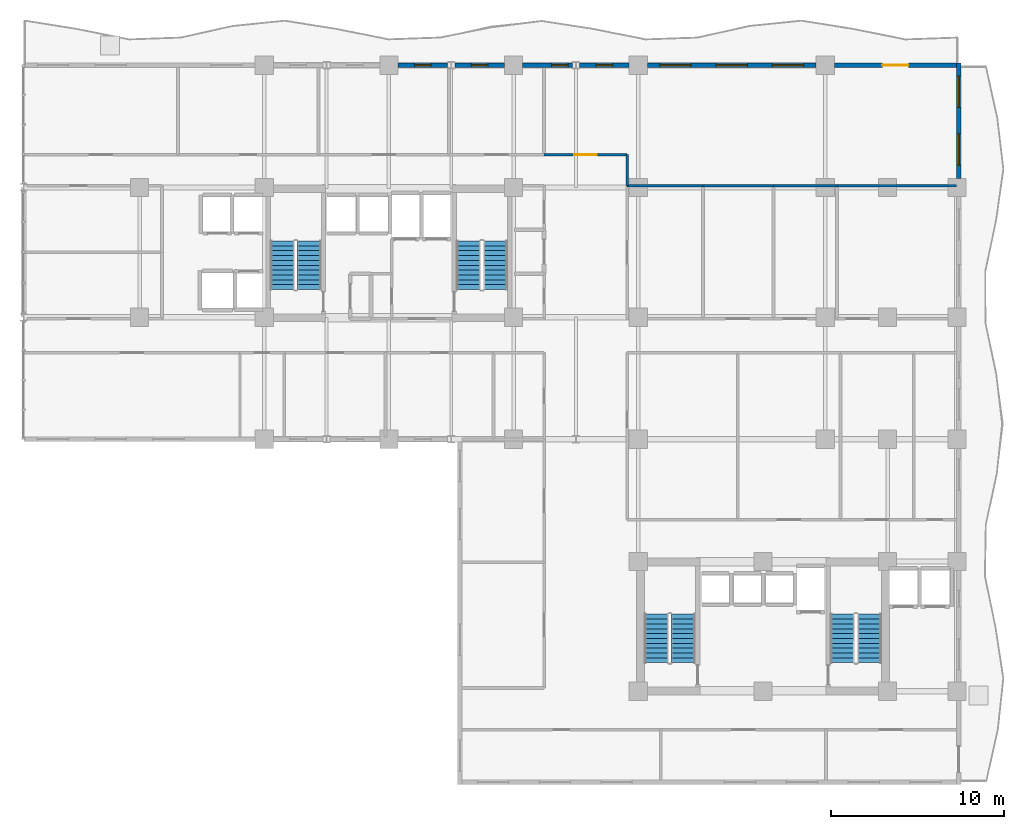
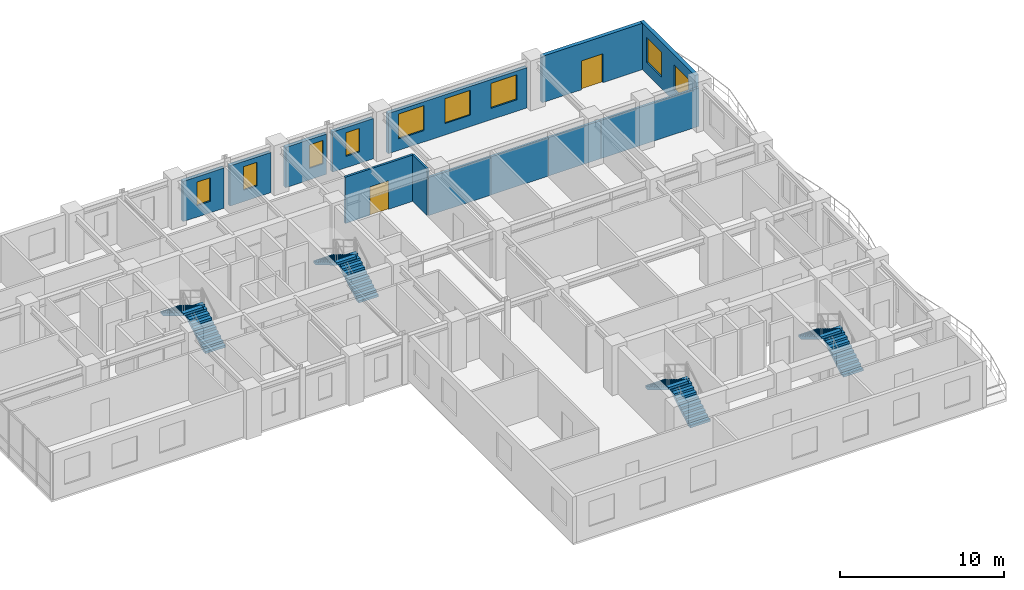
# One storey, part 15 of 19: 13 walls, 9 windows, 8 stair flights, 2 doors, 11 openings, 4 elements without a shape of their own.
"""IFC4 building model written with IfcOpenShell, lengths in metres."""

from ifc_helpers import new_model, si_unit, direction, frame, frame_2d, origin, place, context, subcontext, project, spatial, polyline, rectangle, outline, extrude, material, layer, layer_set, type_object, element, fill, aggregate, save


model = new_model("IFC4")

# Units and contexts
model_context = context("Model", 3, precision=1e-05, world=origin(), true_north=direction((0.0, 1.0)))
body_context = subcontext(model_context, "Body", "Model", "MODEL_VIEW")
ifc_project = project(units=[si_unit("LENGTHUNIT", "METRE"), si_unit("AREAUNIT", "SQUARE_METRE"), si_unit("VOLUMEUNIT", "CUBIC_METRE"), si_unit("PLANEANGLEUNIT", "RADIAN"), si_unit("MASSUNIT", "GRAM", prefix="KILO")], contexts=[model_context])

# Site, building, storey
site_placement = place(None, origin())
site = spatial("IfcSite", under=ifc_project, at=site_placement, CompositionType="ELEMENT")
building_placement = place(site_placement, origin())
building = spatial("IfcBuilding", under=site, at=building_placement, Name="Kaliganga Portal Commons", CompositionType="ELEMENT")
storey_placement = place(building_placement, frame((0.0, 0.0, 140.199951171875)))
storey = spatial("IfcBuildingStorey", under=building, at=storey_placement, Name="L35", CompositionType="ELEMENT", Elevation=140.199951171875)

# Wall, openings, windows
ifc_material_1 = material(Name="Insulated Aluminium-Clad Spandrel Assembly", Category="aluminium")
ifc_layer_1 = layer(ifc_material_1, 0.260009765625)
ifc_layer_set_1 = layer_set([ifc_layer_1], Name="Insulated Aluminium-Clad Spandrel Assembly")
wall_type_1 = type_object("IfcWallType", Name="WL-EXT-SPAND-260", PredefinedType="STANDARD", material=ifc_layer_set_1)
wall_1_placement = place(storey_placement, frame((54.5, 43.330078125, 0.0), z_axis=(0.0, 0.0, 1.0), x_axis=(0.0, -1.0, 0.0)))
wall_1 = element("IfcWall", 1, at=wall_1_placement, inside=storey, type_object=wall_type_1, Name="Exterior Envelope Wall L35 P1-E01-S6", PredefinedType="STANDARD", context=body_context, shape_type="SweptSolid", body=[
    extrude(rectangle(XDim=6.654052734375, YDim=0.260009765625, at=frame_2d((3.3271484375, 0.0))), origin(), (0.0, 0.0, 1.0), 3.43994140625),
])
opening_1_placement = place(wall_1_placement, frame((0.763427734375, 0.0, 0.85009765625)))
opening_1 = element("IfcOpeningElement", 2, at=opening_1_placement, cuts=wall_1, Name="Opening W-01", PredefinedType="OPENING", context=body_context, shape_type="SweptSolid", body=[
    extrude(rectangle(XDim=1.800048828125, YDim=1.85009765625, at=frame_2d((0.89990234375, 0.925048828125))), frame((0.0, 0.14013671875, 0.0), z_axis=(0.0, -1.0, 0.0), x_axis=(1.0, 0.0, 0.0)), (0.0, 0.0, 1.0), 0.280029296875),
])
opening_2_placement = place(wall_1_placement, frame((4.090576171875, 0.0, 0.85009765625)))
opening_2 = element("IfcOpeningElement", 3, at=opening_2_placement, cuts=wall_1, Name="Opening W-01", PredefinedType="OPENING", context=body_context, shape_type="SweptSolid", body=[
    extrude(rectangle(XDim=1.800048828125, YDim=1.85009765625, at=frame_2d((0.89990234375, 0.925048828125))), frame((0.0, 0.14013671875, 0.0), z_axis=(0.0, -1.0, 0.0), x_axis=(1.0, 0.0, 0.0)), (0.0, 0.0, 1.0), 0.280029296875),
])
ifc_material_2 = material(Name="Thermally Broken Aluminium and Low-E Double Glazing", Category="aluminium")
window_type_1 = type_object("IfcWindowType", Name="WIN-STD-1800", PartitioningType="DOUBLE_PANEL_VERTICAL", PredefinedType="WINDOW", material=ifc_material_2)
window_1_placement = place(opening_1_placement, origin())
window_1 = element("IfcWindow", 4, at=window_1_placement, inside=storey, type_object=window_type_1, Name="Facade Window L35-P1E01S6-00", OverallHeight=1.85009765625, OverallWidth=1.800048828125, PartitioningType="SINGLE_PANEL", PredefinedType="WINDOW", context=body_context, shape_type="SweptSolid", body=[
    extrude(rectangle(XDim=1.800048828125, YDim=1.85009765625, at=frame_2d((0.89990234375, 0.925048828125))), frame((0.0, 0.030029296875, 0.0), z_axis=(0.0, -1.0, 0.0), x_axis=(1.0, 0.0, 0.0)), (0.0, 0.0, 1.0), 0.06005859375),
])
fill(opening_1, window_1)
window_2_placement = place(opening_2_placement, origin())
window_2 = element("IfcWindow", 5, at=window_2_placement, inside=storey, type_object=window_type_1, Name="Facade Window L35-P1E01S6-01", OverallHeight=1.85009765625, OverallWidth=1.800048828125, PartitioningType="SINGLE_PANEL", PredefinedType="WINDOW", context=body_context, shape_type="SweptSolid", body=[
    extrude(rectangle(XDim=1.800048828125, YDim=1.85009765625, at=frame_2d((0.89990234375, 0.925048828125))), frame((0.0, 0.030029296875, 0.0), z_axis=(0.0, -1.0, 0.0), x_axis=(1.0, 0.0, 0.0)), (0.0, 0.0, 1.0), 0.06005859375),
])
fill(opening_2, window_2)

# Wall, opening, door
wall_2_placement = place(storey_placement, frame((47.325927734375, 43.199951171875, 0.0), z_axis=(0.0, 0.0, 1.0), x_axis=(1.0, 0.0, 0.0)))
wall_2 = element("IfcWall", 6, at=wall_2_placement, inside=storey, type_object=wall_type_1, Name="Exterior Envelope Wall L35 P1-E02-S1", PredefinedType="STANDARD", context=body_context, shape_type="SweptSolid", body=[
    extrude(rectangle(XDim=7.0390625, YDim=0.260009765625, at=frame_2d((3.51953125, 0.0))), origin(), (0.0, 0.0, 1.0), 3.43994140625),
])
opening_3_placement = place(wall_2_placement, frame((2.77001953125, 0.0, 0.0)))
opening_3 = element("IfcOpeningElement", 7, at=opening_3_placement, cuts=wall_2, Name="Opening BD-01", PredefinedType="OPENING", context=body_context, shape_type="SweptSolid", body=[
    extrude(rectangle(XDim=1.5, YDim=2.14990234375, at=frame_2d((0.75, 1.074951171875))), frame((0.0, 0.14013671875, 0.0), z_axis=(0.0, -1.0, 0.0), x_axis=(1.0, 0.0, 0.0)), (0.0, 0.0, 1.0), 0.280029296875),
])
ifc_material_3 = material(Name="Anodized Aluminium and Laminated Safety Glass", Category="aluminium")
door_type_1 = type_object("IfcDoorType", Name="DR-BALC-1500", OperationType="SLIDING_TO_LEFT", PredefinedType="DOOR", material=ifc_material_3)
door_1_placement = place(opening_3_placement, origin())
door_1 = element("IfcDoor", 8, at=door_1_placement, inside=storey, type_object=door_type_1, Name="Balcony Sliding Door L35 balc_north", OperationType="SLIDING_TO_LEFT", OverallHeight=2.14990234375, OverallWidth=1.5, PredefinedType="DOOR", context=body_context, shape_type="SweptSolid", body=[
    extrude(rectangle(XDim=1.5, YDim=2.14990234375, at=frame_2d((0.75, 1.074951171875))), frame((0.0, 0.02490234375, 0.0), z_axis=(0.0, -1.0, 0.0), x_axis=(1.0, 0.0, 0.0)), (0.0, 0.0, 1.0), 0.050048828125),
])
fill(opening_3, door_1)

# Wall, openings, windows
wall_3_placement = place(storey_placement, frame((36.52587890625, 43.199951171875, 0.0), z_axis=(0.0, 0.0, 1.0), x_axis=(1.0, 0.0, 0.0)))
wall_3 = element("IfcWall", 9, at=wall_3_placement, inside=storey, type_object=wall_type_1, Name="Exterior Envelope Wall L35 P1-E02-S2", PredefinedType="STANDARD", context=body_context, shape_type="SweptSolid", body=[
    extrude(rectangle(XDim=9.748046875, YDim=0.260009765625, at=frame_2d((4.8740234375, 0.0))), origin(), (0.0, 0.0, 1.0), 2.989990234375),
])
opening_4_placement = place(wall_3_placement, frame((0.724609375, 0.0, 0.85009765625)))
opening_4 = element("IfcOpeningElement", 10, at=opening_4_placement, cuts=wall_3, Name="Opening W-01", PredefinedType="OPENING", context=body_context, shape_type="SweptSolid", body=[
    extrude(rectangle(XDim=1.800048828125, YDim=1.85009765625, at=frame_2d((0.89990234375, 0.925048828125))), frame((0.0, 0.14013671875, 0.0), z_axis=(0.0, -1.0, 0.0), x_axis=(1.0, 0.0, 0.0)), (0.0, 0.0, 1.0), 0.280029296875),
])
opening_5_placement = place(wall_3_placement, frame((3.97412109375, 0.0, 0.85009765625)))
opening_5 = element("IfcOpeningElement", 11, at=opening_5_placement, cuts=wall_3, Name="Opening W-01", PredefinedType="OPENING", context=body_context, shape_type="SweptSolid", body=[
    extrude(rectangle(XDim=1.800048828125, YDim=1.85009765625, at=frame_2d((0.89990234375, 0.925048828125))), frame((0.0, 0.14013671875, 0.0), z_axis=(0.0, -1.0, 0.0), x_axis=(1.0, 0.0, 0.0)), (0.0, 0.0, 1.0), 0.280029296875),
])
opening_6_placement = place(wall_3_placement, frame((7.223388671875, 0.0, 0.85009765625)))
opening_6 = element("IfcOpeningElement", 12, at=opening_6_placement, cuts=wall_3, Name="Opening W-01", PredefinedType="OPENING", context=body_context, shape_type="SweptSolid", body=[
    extrude(rectangle(XDim=1.800048828125, YDim=1.85009765625, at=frame_2d((0.89990234375, 0.925048828125))), frame((0.0, 0.14013671875, 0.0), z_axis=(0.0, -1.0, 0.0), x_axis=(1.0, 0.0, 0.0)), (0.0, 0.0, 1.0), 0.280029296875),
])
window_3_placement = place(opening_4_placement, origin())
window_3 = element("IfcWindow", 13, at=window_3_placement, inside=storey, type_object=window_type_1, Name="Facade Window L35-P1E02S2-00", OverallHeight=1.85009765625, OverallWidth=1.800048828125, PartitioningType="SINGLE_PANEL", PredefinedType="WINDOW", context=body_context, shape_type="SweptSolid", body=[
    extrude(rectangle(XDim=1.800048828125, YDim=1.85009765625, at=frame_2d((0.89990234375, 0.925048828125))), frame((0.0, 0.030029296875, 0.0), z_axis=(0.0, -1.0, 0.0), x_axis=(1.0, 0.0, 0.0)), (0.0, 0.0, 1.0), 0.06005859375),
])
fill(opening_4, window_3)
window_4_placement = place(opening_5_placement, origin())
window_4 = element("IfcWindow", 14, at=window_4_placement, inside=storey, type_object=window_type_1, Name="Facade Window L35-P1E02S2-01", OverallHeight=1.85009765625, OverallWidth=1.800048828125, PartitioningType="SINGLE_PANEL", PredefinedType="WINDOW", context=body_context, shape_type="SweptSolid", body=[
    extrude(rectangle(XDim=1.800048828125, YDim=1.85009765625, at=frame_2d((0.89990234375, 0.925048828125))), frame((0.0, 0.030029296875, 0.0), z_axis=(0.0, -1.0, 0.0), x_axis=(1.0, 0.0, 0.0)), (0.0, 0.0, 1.0), 0.06005859375),
])
fill(opening_5, window_4)
window_5_placement = place(opening_6_placement, origin())
window_5 = element("IfcWindow", 15, at=window_5_placement, inside=storey, type_object=window_type_1, Name="Facade Window L35-P1E02S2-02", OverallHeight=1.85009765625, OverallWidth=1.800048828125, PartitioningType="SINGLE_PANEL", PredefinedType="WINDOW", context=body_context, shape_type="SweptSolid", body=[
    extrude(rectangle(XDim=1.800048828125, YDim=1.85009765625, at=frame_2d((0.89990234375, 0.925048828125))), frame((0.0, 0.030029296875, 0.0), z_axis=(0.0, -1.0, 0.0), x_axis=(1.0, 0.0, 0.0)), (0.0, 0.0, 1.0), 0.06005859375),
])
fill(opening_6, window_5)

# Wall, opening, window
wall_4_placement = place(storey_placement, frame((32.60302734375, 43.199951171875, 0.0), z_axis=(0.0, 0.0, 1.0), x_axis=(1.0, 0.0, 0.0)))
wall_4 = element("IfcWall", 16, at=wall_4_placement, inside=storey, type_object=wall_type_1, Name="Exterior Envelope Wall L35 P1-E02-S3", PredefinedType="STANDARD", context=body_context, shape_type="SweptSolid", body=[
    extrude(rectangle(XDim=2.87109375, YDim=0.260009765625, at=frame_2d((1.435546875, 0.0))), origin(), (0.0, 0.0, 1.0), 2.989990234375),
])
opening_7_placement = place(wall_4_placement, frame((0.96044921875, 0.0, 0.85009765625)))
opening_7 = element("IfcOpeningElement", 17, at=opening_7_placement, cuts=wall_4, Name="Opening W-04", PredefinedType="OPENING", context=body_context, shape_type="SweptSolid", body=[
    extrude(rectangle(XDim=0.949951171875, YDim=1.75, at=frame_2d((0.47509765625, 0.875))), frame((0.0, 0.14013671875, 0.0), z_axis=(0.0, -1.0, 0.0), x_axis=(1.0, 0.0, 0.0)), (0.0, 0.0, 1.0), 0.280029296875),
])
window_type_2 = type_object("IfcWindowType", Name="WIN-NARROW-950", PartitioningType="SINGLE_PANEL", PredefinedType="WINDOW", material=ifc_material_2)
window_6_placement = place(opening_7_placement, origin())
window_6 = element("IfcWindow", 18, at=window_6_placement, inside=storey, type_object=window_type_2, Name="Facade Window L35-P1E02S3-00", OverallHeight=1.75, OverallWidth=0.949951171875, PartitioningType="SINGLE_PANEL", PredefinedType="WINDOW", context=body_context, shape_type="SweptSolid", body=[
    extrude(rectangle(XDim=0.949951171875, YDim=1.75, at=frame_2d((0.47509765625, 0.875))), frame((0.0, 0.030029296875, 0.0), z_axis=(0.0, -1.0, 0.0), x_axis=(1.0, 0.0, 0.0)), (0.0, 0.0, 1.0), 0.06005859375),
])
fill(opening_7, window_6)

wall_5_placement = place(storey_placement, frame((29.325927734375, 43.199951171875, 0.0), z_axis=(0.0, 0.0, 1.0), x_axis=(1.0, 0.0, 0.0)))
wall_5 = element("IfcWall", 19, at=wall_5_placement, inside=storey, type_object=wall_type_1, Name="Exterior Envelope Wall L35 P1-E02-S4", PredefinedType="STANDARD", context=body_context, shape_type="SweptSolid", body=[
    extrude(rectangle(XDim=2.87109375, YDim=0.260009765625, at=frame_2d((1.435546875, 0.0))), origin(), (0.0, 0.0, 1.0), 2.989990234375),
])
opening_8_placement = place(wall_5_placement, frame((1.672607421875, 0.0, 0.85009765625)))
opening_8 = element("IfcOpeningElement", 20, at=opening_8_placement, cuts=wall_5, Name="Opening W-04", PredefinedType="OPENING", context=body_context, shape_type="SweptSolid", body=[
    extrude(rectangle(XDim=0.949951171875, YDim=1.75, at=frame_2d((0.47509765625, 0.875))), frame((0.0, 0.14013671875, 0.0), z_axis=(0.0, -1.0, 0.0), x_axis=(1.0, 0.0, 0.0)), (0.0, 0.0, 1.0), 0.280029296875),
])
window_7_placement = place(opening_8_placement, origin())
window_7 = element("IfcWindow", 21, at=window_7_placement, inside=storey, type_object=window_type_2, Name="Facade Window L35-P1E02S4-N2", OverallHeight=1.75, OverallWidth=0.949951171875, PartitioningType="SINGLE_PANEL", PredefinedType="WINDOW", context=body_context, shape_type="SweptSolid", body=[
    extrude(rectangle(XDim=0.949951171875, YDim=1.75, at=frame_2d((0.47509765625, 0.875))), frame((0.0, 0.030029296875, 0.0), z_axis=(0.0, -1.0, 0.0), x_axis=(1.0, 0.0, 0.0)), (0.0, 0.0, 1.0), 0.06005859375),
])
fill(opening_8, window_7)

wall_6_placement = place(storey_placement, frame((25.403076171875, 43.199951171875, 0.0), z_axis=(0.0, 0.0, 1.0), x_axis=(1.0, 0.0, 0.0)))
wall_6 = element("IfcWall", 22, at=wall_6_placement, inside=storey, type_object=wall_type_1, Name="Exterior Envelope Wall L35 P1-E02-S5", PredefinedType="STANDARD", context=body_context, shape_type="SweptSolid", body=[
    extrude(rectangle(XDim=2.870849609375, YDim=0.260009765625, at=frame_2d((1.435546875, 0.0))), origin(), (0.0, 0.0, 1.0), 2.989990234375),
])
opening_9_placement = place(wall_6_placement, frame((0.96044921875, 0.0, 0.85009765625)))
opening_9 = element("IfcOpeningElement", 23, at=opening_9_placement, cuts=wall_6, Name="Opening W-04", PredefinedType="OPENING", context=body_context, shape_type="SweptSolid", body=[
    extrude(rectangle(XDim=0.949951171875, YDim=1.75, at=frame_2d((0.47509765625, 0.875))), frame((0.0, 0.14013671875, 0.0), z_axis=(0.0, -1.0, 0.0), x_axis=(1.0, 0.0, 0.0)), (0.0, 0.0, 1.0), 0.280029296875),
])
window_8_placement = place(opening_9_placement, origin())
window_8 = element("IfcWindow", 24, at=window_8_placement, inside=storey, type_object=window_type_2, Name="Facade Window L35-P1E02S5-00", OverallHeight=1.75, OverallWidth=0.949951171875, PartitioningType="SINGLE_PANEL", PredefinedType="WINDOW", context=body_context, shape_type="SweptSolid", body=[
    extrude(rectangle(XDim=0.949951171875, YDim=1.75, at=frame_2d((0.47509765625, 0.875))), frame((0.0, 0.030029296875, 0.0), z_axis=(0.0, -1.0, 0.0), x_axis=(1.0, 0.0, 0.0)), (0.0, 0.0, 1.0), 0.06005859375),
])
fill(opening_9, window_8)

wall_7_placement = place(storey_placement, frame((22.1259765625, 43.199951171875, 0.0), z_axis=(0.0, 0.0, 1.0), x_axis=(1.0, 0.0, 0.0)))
wall_7 = element("IfcWall", 25, at=wall_7_placement, inside=storey, type_object=wall_type_1, Name="Exterior Envelope Wall L35 P1-E02-S6", PredefinedType="STANDARD", context=body_context, shape_type="SweptSolid", body=[
    extrude(rectangle(XDim=2.87109375, YDim=0.260009765625, at=frame_2d((1.435546875, 0.0))), origin(), (0.0, 0.0, 1.0), 2.989990234375),
])
opening_10_placement = place(wall_7_placement, frame((0.96044921875, 0.0, 0.85009765625)))
opening_10 = element("IfcOpeningElement", 26, at=opening_10_placement, cuts=wall_7, Name="Opening W-04", PredefinedType="OPENING", context=body_context, shape_type="SweptSolid", body=[
    extrude(rectangle(XDim=0.949951171875, YDim=1.75, at=frame_2d((0.47509765625, 0.875))), frame((0.0, 0.14013671875, 0.0), z_axis=(0.0, -1.0, 0.0), x_axis=(1.0, 0.0, 0.0)), (0.0, 0.0, 1.0), 0.280029296875),
])
window_9_placement = place(opening_10_placement, origin())
window_9 = element("IfcWindow", 27, at=window_9_placement, inside=storey, type_object=window_type_2, Name="Facade Window L35-P1E02S6-00", OverallHeight=1.75, OverallWidth=0.949951171875, PartitioningType="SINGLE_PANEL", PredefinedType="WINDOW", context=body_context, shape_type="SweptSolid", body=[
    extrude(rectangle(XDim=0.949951171875, YDim=1.75, at=frame_2d((0.47509765625, 0.875))), frame((0.0, 0.030029296875, 0.0), z_axis=(0.0, -1.0, 0.0), x_axis=(1.0, 0.0, 0.0)), (0.0, 0.0, 1.0), 0.06005859375),
])
fill(opening_10, window_9)

# Wall, opening, door
ifc_material_4 = material(Name="Fire-Rated Gypsum Board on Steel Stud", Category="steel")
ifc_layer_2 = layer(ifc_material_4, 0.14990234375)
ifc_layer_set_2 = layer_set([ifc_layer_2], Name="Fire-Rated Gypsum Board on Steel Stud")
wall_type_2 = type_object("IfcWallType", Name="WL-PART-CORR-150", PredefinedType="PARTITIONING", material=ifc_layer_set_2)
wall_8_placement = place(storey_placement, frame((30.56005859375, 38.0400390625, 0.0), z_axis=(0.0, 0.0, 1.0), x_axis=(1.0, 0.0, 0.0)))
wall_8 = element("IfcWall", 28, at=wall_8_placement, inside=storey, type_object=wall_type_2, Name="Interior Partition L35-027", PredefinedType="PARTITIONING", context=body_context, shape_type="SweptSolid", body=[
    extrude(rectangle(XDim=4.800048828125, YDim=0.14990234375, at=frame_2d((2.39990234375, 0.0))), origin(), (0.0, 0.0, 1.0), 3.43994140625),
])
opening_11_placement = place(wall_8_placement, frame((1.75, 0.0, 0.0)))
opening_11 = element("IfcOpeningElement", 29, at=opening_11_placement, cuts=wall_8, Name="Opening RD-03", PredefinedType="OPENING", context=body_context, shape_type="SweptSolid", body=[
    extrude(rectangle(XDim=1.300048828125, YDim=2.1201171875, at=frame_2d((0.64990234375, 1.06005859375))), frame((0.0, 0.0849609375, 0.0), z_axis=(0.0, -1.0, 0.0), x_axis=(1.0, 0.0, 0.0)), (0.0, 0.0, 1.0), 0.169921875),
])
ifc_material_5 = material(Name="Glazed Timber Seminar Vision Door", Category="wood")
door_type_2 = type_object("IfcDoorType", Name="DR-STUDY-1300", OperationType="DOUBLE_DOOR_SINGLE_SWING", PredefinedType="DOOR", material=ifc_material_5)
door_2_placement = place(opening_11_placement, origin())
door_2 = element("IfcDoor", 30, at=door_2_placement, inside=storey, type_object=door_type_2, Name="Interior Door L35-ANE01", OperationType="DOUBLE_DOOR_SINGLE_SWING", OverallHeight=2.1201171875, OverallWidth=1.300048828125, PredefinedType="DOOR", context=body_context, shape_type="SweptSolid", body=[
    extrude(rectangle(XDim=1.300048828125, YDim=2.1201171875, at=frame_2d((0.64990234375, 1.06005859375))), frame((0.0, 0.02490234375, 0.0), z_axis=(0.0, -1.0, 0.0), x_axis=(1.0, 0.0, 0.0)), (0.0, 0.0, 1.0), 0.050048828125),
])
fill(opening_11, door_2)

# Walls
wall_9_placement = place(storey_placement, frame((35.360107421875, 36.239990234375, 0.0), z_axis=(0.0, 0.0, 1.0), x_axis=(0.0, 1.0, 0.0)))
element("IfcWall", 31, at=wall_9_placement, inside=storey, type_object=wall_type_2, Name="Interior Partition L35-044", PredefinedType="PARTITIONING", context=body_context, shape_type="SweptSolid", body=[
    extrude(rectangle(XDim=1.800048828125, YDim=0.14990234375, at=frame_2d((0.89990234375, 0.0))), origin(), (0.0, 0.0, 1.0), 3.43994140625),
])
ifc_material_6 = material(Name="Twin-Stud Acoustic Gypsum Partition", Category="gypsum")
ifc_layer_3 = layer(ifc_material_6, 0.1650390625)
ifc_layer_set_3 = layer_set([ifc_layer_3], Name="Twin-Stud Acoustic Gypsum Partition")
wall_type_3 = type_object("IfcWallType", Name="WL-PART-UNIT-165", PredefinedType="PARTITIONING", material=ifc_layer_set_3)
wall_10_placement = place(storey_placement, frame((47.47998046875, 36.239990234375, 0.0), z_axis=(0.0, 0.0, 1.0), x_axis=(1.0, 0.0, 0.0)))
element("IfcWall", 32, at=wall_10_placement, inside=storey, type_object=wall_type_3, Name="Interior Partition L35-058", PredefinedType="PARTITIONING", context=body_context, shape_type="SweptSolid", body=[
    extrude(rectangle(XDim=6.887939453125, YDim=0.1650390625, at=frame_2d((3.44384765625, 0.0))), origin(), (0.0, 0.0, 1.0), 2.840087890625),
])
wall_11_placement = place(storey_placement, frame((35.360107421875, 36.239990234375, 0.0), z_axis=(0.0, 0.0, 1.0), x_axis=(1.0, 0.0, 0.0)))
element("IfcWall", 33, at=wall_11_placement, inside=storey, type_object=wall_type_3, Name="Interior Partition L35-068", PredefinedType="PARTITIONING", context=body_context, shape_type="SweptSolid", body=[
    extrude(rectangle(XDim=4.3798828125, YDim=0.1650390625, at=frame_2d((2.18994140625, 0.0))), origin(), (0.0, 0.0, 1.0), 2.840087890625),
])
wall_12_placement = place(storey_placement, frame((39.739990234375, 36.239990234375, 0.0), z_axis=(0.0, 0.0, 1.0), x_axis=(1.0, 0.0, 0.0)))
element("IfcWall", 34, at=wall_12_placement, inside=storey, type_object=wall_type_3, Name="Interior Partition L35-069", PredefinedType="PARTITIONING", context=body_context, shape_type="SweptSolid", body=[
    extrude(rectangle(XDim=4.06005859375, YDim=0.1650390625, at=frame_2d((2.030029296875, 0.0))), origin(), (0.0, 0.0, 1.0), 2.840087890625),
])
wall_13_placement = place(storey_placement, frame((43.800048828125, 36.239990234375, 0.0), z_axis=(0.0, 0.0, 1.0), x_axis=(1.0, 0.0, 0.0)))
element("IfcWall", 35, at=wall_13_placement, inside=storey, type_object=wall_type_3, Name="Interior Partition L35-070", PredefinedType="PARTITIONING", context=body_context, shape_type="SweptSolid", body=[
    extrude(rectangle(XDim=3.679931640625, YDim=0.1650390625, at=frame_2d((1.83984375, 0.0))), origin(), (0.0, 0.0, 1.0), 2.840087890625),
])

# Stair, stair flights
ifc_material_7 = material(Name="Concrete C40/50", Category="concrete")
stair_type = type_object("IfcStairType", Name="ST-CORE-DOGLEG", PredefinedType="HALF_TURN_STAIR", material=ifc_material_7)
stair_1_placement = place(storey_placement, origin())
stair_1 = element("IfcStair", 36, at=stair_1_placement, inside=storey, type_object=stair_type, Name="L35 Protected Exit Stair ST-A1", PredefinedType="HALF_TURN_STAIR")
stair_flight_type = type_object("IfcStairFlightType", Name="STF-RC-1400", PredefinedType="STRAIGHT", material=ifc_material_7)
stair_flight_1_placement = place(storey_placement, frame((17.0, 30.25, 0.0), z_axis=(0.0, 0.0, 1.0), x_axis=(0.0, 1.0, 0.0)))
stair_flight_1 = element("IfcStairFlight", 37, at=stair_flight_1_placement, type_object=stair_flight_type, Name="ST-A1 flight 1", NumberOfRisers=11, NumberOfTreads=10, PredefinedType="STRAIGHT", RiserHeight=0.168181818, TreadLength=0.28, context=body_context, shape_type="SweptSolid", body=[
    extrude(outline(polyline([(0.0, 0.0), (0.0, 0.168212890625), (0.280029296875, 0.168212890625), (0.280029296875, 0.33642578125), (0.56005859375, 0.33642578125), (0.56005859375, 0.504638671875), (0.840087890625, 0.504638671875), (0.840087890625, 0.672607421875), (1.1201171875, 0.672607421875), (1.1201171875, 0.8408203125), (1.39990234375, 0.8408203125), (1.39990234375, 1.009033203125), (1.679931640625, 1.009033203125), (1.679931640625, 1.17724609375), (1.9599609375, 1.17724609375), (1.9599609375, 1.345458984375), (2.239990234375, 1.345458984375), (2.239990234375, 1.513671875), (2.52001953125, 1.513671875), (2.52001953125, 1.681884765625), (2.800048828125, 1.681884765625), (2.800048828125, 1.85009765625), (2.800048828125, 1.5068359375), (0.291015625, 0.0), (0.0, 0.0)])), frame((0.0, 0.699951171875, 0.0), z_axis=(0.0, -1.0, 0.0), x_axis=(1.0, 0.0, 0.0)), (0.0, 0.0, 1.0), 1.39990234375),
])
stair_flight_2_placement = place(storey_placement, frame((15.449951171875, 33.050048828125, 1.85009765625), z_axis=(0.0, 0.0, 1.0), x_axis=(0.0, -1.0, 0.0)))
stair_flight_2 = element("IfcStairFlight", 38, at=stair_flight_2_placement, type_object=stair_flight_type, Name="ST-A1 flight 2", NumberOfRisers=11, NumberOfTreads=10, PredefinedType="STRAIGHT", RiserHeight=0.168181818, TreadLength=0.28, context=body_context, shape_type="SweptSolid", body=[
    extrude(outline(polyline([(0.0, 0.0), (0.0, 0.168212890625), (0.280029296875, 0.168212890625), (0.280029296875, 0.33642578125), (0.56005859375, 0.33642578125), (0.56005859375, 0.504638671875), (0.840087890625, 0.504638671875), (0.840087890625, 0.672607421875), (1.1201171875, 0.672607421875), (1.1201171875, 0.8408203125), (1.39990234375, 0.8408203125), (1.39990234375, 1.009033203125), (1.679931640625, 1.009033203125), (1.679931640625, 1.17724609375), (1.9599609375, 1.17724609375), (1.9599609375, 1.345458984375), (2.239990234375, 1.345458984375), (2.239990234375, 1.513671875), (2.52001953125, 1.513671875), (2.52001953125, 1.681884765625), (2.800048828125, 1.681884765625), (2.800048828125, 1.85009765625), (2.800048828125, 1.5068359375), (0.291015625, 0.0), (0.0, 0.0)])), frame((0.0, 0.699951171875, 0.0), z_axis=(0.0, -1.0, 0.0), x_axis=(1.0, 0.0, 0.0)), (0.0, 0.0, 1.0), 1.39990234375),
])
aggregate(stair_1, [stair_flight_1, stair_flight_2])

stair_2_placement = place(storey_placement, origin())
stair_2 = element("IfcStair", 39, at=stair_2_placement, inside=storey, type_object=stair_type, Name="L35 Protected Exit Stair ST-A2", PredefinedType="HALF_TURN_STAIR")
stair_flight_3_placement = place(storey_placement, frame((27.75, 30.25, 0.0), z_axis=(0.0, 0.0, 1.0), x_axis=(0.0, 1.0, 0.0)))
stair_flight_3 = element("IfcStairFlight", 40, at=stair_flight_3_placement, type_object=stair_flight_type, Name="ST-A2 flight 1", NumberOfRisers=11, NumberOfTreads=10, PredefinedType="STRAIGHT", RiserHeight=0.168181818, TreadLength=0.28, context=body_context, shape_type="SweptSolid", body=[
    extrude(outline(polyline([(0.0, 0.0), (0.0, 0.168212890625), (0.280029296875, 0.168212890625), (0.280029296875, 0.33642578125), (0.56005859375, 0.33642578125), (0.56005859375, 0.504638671875), (0.840087890625, 0.504638671875), (0.840087890625, 0.672607421875), (1.1201171875, 0.672607421875), (1.1201171875, 0.8408203125), (1.39990234375, 0.8408203125), (1.39990234375, 1.009033203125), (1.679931640625, 1.009033203125), (1.679931640625, 1.17724609375), (1.9599609375, 1.17724609375), (1.9599609375, 1.345458984375), (2.239990234375, 1.345458984375), (2.239990234375, 1.513671875), (2.52001953125, 1.513671875), (2.52001953125, 1.681884765625), (2.800048828125, 1.681884765625), (2.800048828125, 1.85009765625), (2.800048828125, 1.5068359375), (0.291015625, 0.0), (0.0, 0.0)])), frame((0.0, 0.699951171875, 0.0), z_axis=(0.0, -1.0, 0.0), x_axis=(1.0, 0.0, 0.0)), (0.0, 0.0, 1.0), 1.39990234375),
])
stair_flight_4_placement = place(storey_placement, frame((26.199951171875, 33.050048828125, 1.85009765625), z_axis=(0.0, 0.0, 1.0), x_axis=(0.0, -1.0, 0.0)))
stair_flight_4 = element("IfcStairFlight", 41, at=stair_flight_4_placement, type_object=stair_flight_type, Name="ST-A2 flight 2", NumberOfRisers=11, NumberOfTreads=10, PredefinedType="STRAIGHT", RiserHeight=0.168181818, TreadLength=0.28, context=body_context, shape_type="SweptSolid", body=[
    extrude(outline(polyline([(0.0, 0.0), (0.0, 0.168212890625), (0.280029296875, 0.168212890625), (0.280029296875, 0.33642578125), (0.56005859375, 0.33642578125), (0.56005859375, 0.504638671875), (0.840087890625, 0.504638671875), (0.840087890625, 0.672607421875), (1.1201171875, 0.672607421875), (1.1201171875, 0.8408203125), (1.39990234375, 0.8408203125), (1.39990234375, 1.009033203125), (1.679931640625, 1.009033203125), (1.679931640625, 1.17724609375), (1.9599609375, 1.17724609375), (1.9599609375, 1.345458984375), (2.239990234375, 1.345458984375), (2.239990234375, 1.513671875), (2.52001953125, 1.513671875), (2.52001953125, 1.681884765625), (2.800048828125, 1.681884765625), (2.800048828125, 1.85009765625), (2.800048828125, 1.5068359375), (0.291015625, 0.0), (0.0, 0.0)])), frame((0.0, 0.699951171875, 0.0), z_axis=(0.0, -1.0, 0.0), x_axis=(1.0, 0.0, 0.0)), (0.0, 0.0, 1.0), 1.39990234375),
])
aggregate(stair_2, [stair_flight_3, stair_flight_4])

stair_3_placement = place(storey_placement, origin())
stair_3 = element("IfcStair", 42, at=stair_3_placement, inside=storey, type_object=stair_type, Name="L35 Protected Exit Stair ST-B1", PredefinedType="HALF_TURN_STAIR")
stair_flight_5_placement = place(storey_placement, frame((38.60009765625, 8.699951171875, 0.0), z_axis=(0.0, 0.0, 1.0), x_axis=(0.0, 1.0, 0.0)))
stair_flight_5 = element("IfcStairFlight", 43, at=stair_flight_5_placement, type_object=stair_flight_type, Name="ST-B1 flight 1", NumberOfRisers=11, NumberOfTreads=10, PredefinedType="STRAIGHT", RiserHeight=0.168181818, TreadLength=0.28, context=body_context, shape_type="SweptSolid", body=[
    extrude(outline(polyline([(0.0, 0.0), (0.0, 0.168212890625), (0.280029296875, 0.168212890625), (0.280029296875, 0.33642578125), (0.56005859375, 0.33642578125), (0.56005859375, 0.504638671875), (0.840087890625, 0.504638671875), (0.840087890625, 0.672607421875), (1.1201171875, 0.672607421875), (1.1201171875, 0.8408203125), (1.39990234375, 0.8408203125), (1.39990234375, 1.009033203125), (1.679931640625, 1.009033203125), (1.679931640625, 1.17724609375), (1.9599609375, 1.17724609375), (1.9599609375, 1.345458984375), (2.239990234375, 1.345458984375), (2.239990234375, 1.513671875), (2.52001953125, 1.513671875), (2.52001953125, 1.681884765625), (2.800048828125, 1.681884765625), (2.800048828125, 1.85009765625), (2.800048828125, 1.5068359375), (0.291015625, 0.0), (0.0, 0.0)])), frame((0.0, 0.699951171875, 0.0), z_axis=(0.0, -1.0, 0.0), x_axis=(1.0, 0.0, 0.0)), (0.0, 0.0, 1.0), 1.39990234375),
])
stair_flight_6_placement = place(storey_placement, frame((37.050048828125, 11.5, 1.85009765625), z_axis=(0.0, 0.0, 1.0), x_axis=(0.0, -1.0, 0.0)))
stair_flight_6 = element("IfcStairFlight", 44, at=stair_flight_6_placement, type_object=stair_flight_type, Name="ST-B1 flight 2", NumberOfRisers=11, NumberOfTreads=10, PredefinedType="STRAIGHT", RiserHeight=0.168181818, TreadLength=0.28, context=body_context, shape_type="SweptSolid", body=[
    extrude(outline(polyline([(0.0, 0.0), (0.0, 0.168212890625), (0.280029296875, 0.168212890625), (0.280029296875, 0.33642578125), (0.56005859375, 0.33642578125), (0.56005859375, 0.504638671875), (0.840087890625, 0.504638671875), (0.840087890625, 0.672607421875), (1.1201171875, 0.672607421875), (1.1201171875, 0.8408203125), (1.39990234375, 0.8408203125), (1.39990234375, 1.009033203125), (1.679931640625, 1.009033203125), (1.679931640625, 1.17724609375), (1.9599609375, 1.17724609375), (1.9599609375, 1.345458984375), (2.239990234375, 1.345458984375), (2.239990234375, 1.513671875), (2.52001953125, 1.513671875), (2.52001953125, 1.681884765625), (2.800048828125, 1.681884765625), (2.800048828125, 1.85009765625), (2.800048828125, 1.5068359375), (0.291015625, 0.0), (0.0, 0.0)])), frame((0.0, 0.699951171875, 0.0), z_axis=(0.0, -1.0, 0.0), x_axis=(1.0, 0.0, 0.0)), (0.0, 0.0, 1.0), 1.39990234375),
])
aggregate(stair_3, [stair_flight_5, stair_flight_6])

stair_4_placement = place(storey_placement, origin())
stair_4 = element("IfcStair", 45, at=stair_4_placement, inside=storey, type_object=stair_type, Name="L35 Protected Exit Stair ST-B2", PredefinedType="HALF_TURN_STAIR")
stair_flight_7_placement = place(storey_placement, frame((49.35009765625, 8.699951171875, 0.0), z_axis=(0.0, 0.0, 1.0), x_axis=(0.0, 1.0, 0.0)))
stair_flight_7 = element("IfcStairFlight", 46, at=stair_flight_7_placement, type_object=stair_flight_type, Name="ST-B2 flight 1", NumberOfRisers=11, NumberOfTreads=10, PredefinedType="STRAIGHT", RiserHeight=0.168181818, TreadLength=0.28, context=body_context, shape_type="SweptSolid", body=[
    extrude(outline(polyline([(0.0, 0.0), (0.0, 0.168212890625), (0.280029296875, 0.168212890625), (0.280029296875, 0.33642578125), (0.56005859375, 0.33642578125), (0.56005859375, 0.504638671875), (0.840087890625, 0.504638671875), (0.840087890625, 0.672607421875), (1.1201171875, 0.672607421875), (1.1201171875, 0.8408203125), (1.39990234375, 0.8408203125), (1.39990234375, 1.009033203125), (1.679931640625, 1.009033203125), (1.679931640625, 1.17724609375), (1.9599609375, 1.17724609375), (1.9599609375, 1.345458984375), (2.239990234375, 1.345458984375), (2.239990234375, 1.513671875), (2.52001953125, 1.513671875), (2.52001953125, 1.681884765625), (2.800048828125, 1.681884765625), (2.800048828125, 1.85009765625), (2.800048828125, 1.5068359375), (0.291015625, 0.0), (0.0, 0.0)])), frame((0.0, 0.699951171875, 0.0), z_axis=(0.0, -1.0, 0.0), x_axis=(1.0, 0.0, 0.0)), (0.0, 0.0, 1.0), 1.39990234375),
])
stair_flight_8_placement = place(storey_placement, frame((47.800048828125, 11.5, 1.85009765625), z_axis=(0.0, 0.0, 1.0), x_axis=(0.0, -1.0, 0.0)))
stair_flight_8 = element("IfcStairFlight", 47, at=stair_flight_8_placement, type_object=stair_flight_type, Name="ST-B2 flight 2", NumberOfRisers=11, NumberOfTreads=10, PredefinedType="STRAIGHT", RiserHeight=0.168181818, TreadLength=0.28, context=body_context, shape_type="SweptSolid", body=[
    extrude(outline(polyline([(0.0, 0.0), (0.0, 0.168212890625), (0.280029296875, 0.168212890625), (0.280029296875, 0.33642578125), (0.56005859375, 0.33642578125), (0.56005859375, 0.504638671875), (0.840087890625, 0.504638671875), (0.840087890625, 0.672607421875), (1.1201171875, 0.672607421875), (1.1201171875, 0.8408203125), (1.39990234375, 0.8408203125), (1.39990234375, 1.009033203125), (1.679931640625, 1.009033203125), (1.679931640625, 1.17724609375), (1.9599609375, 1.17724609375), (1.9599609375, 1.345458984375), (2.239990234375, 1.345458984375), (2.239990234375, 1.513671875), (2.52001953125, 1.513671875), (2.52001953125, 1.681884765625), (2.800048828125, 1.681884765625), (2.800048828125, 1.85009765625), (2.800048828125, 1.5068359375), (0.291015625, 0.0), (0.0, 0.0)])), frame((0.0, 0.699951171875, 0.0), z_axis=(0.0, -1.0, 0.0), x_axis=(1.0, 0.0, 0.0)), (0.0, 0.0, 1.0), 1.39990234375),
])
aggregate(stair_4, [stair_flight_7, stair_flight_8])

save(model, "model.ifc")
